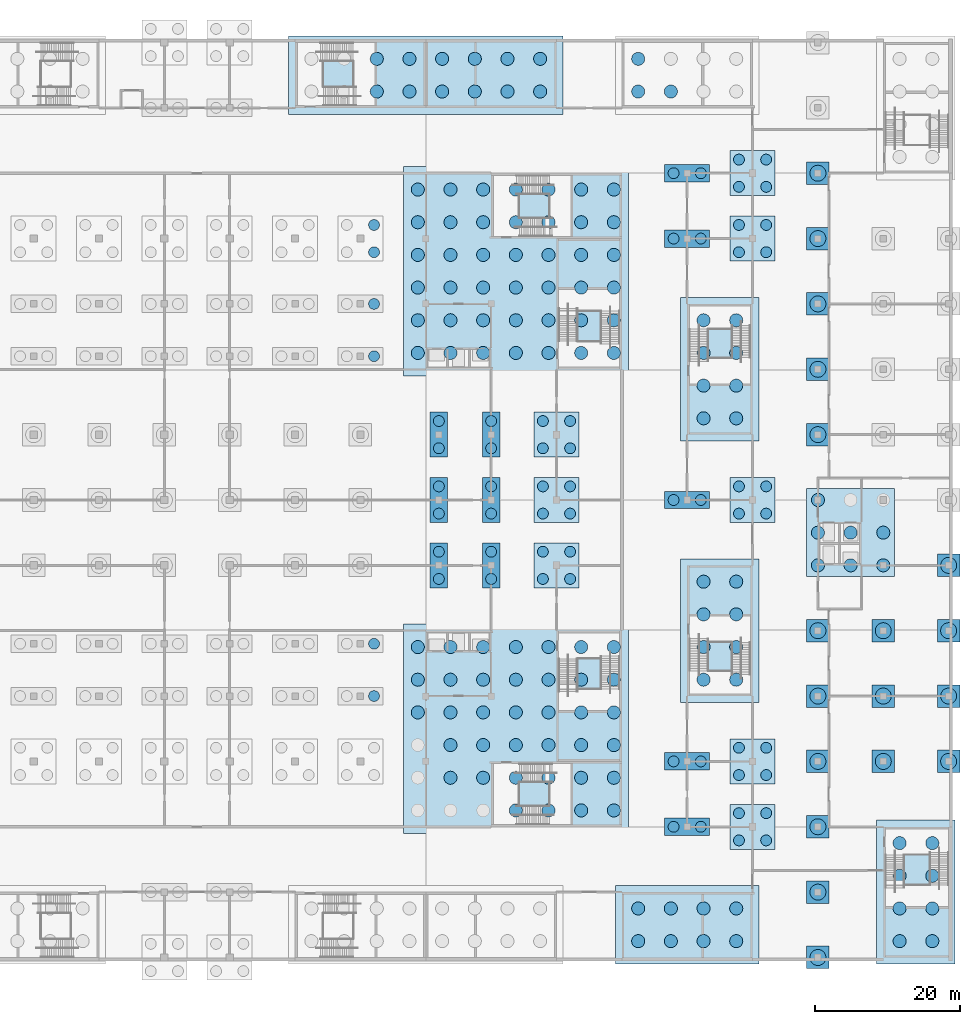
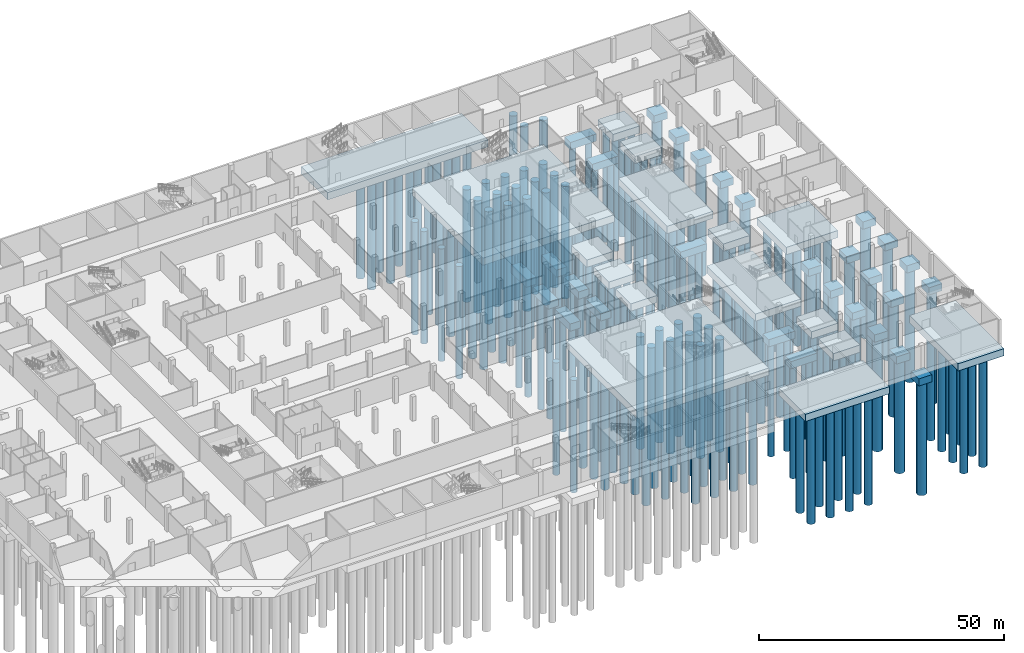
# One storey, part 3 of 42: 211 piles, 45 footings.
"""IFC4 building model written with IfcOpenShell, lengths in metres."""

import ifcopenshell
import ifcopenshell.guid

model = None  # the IFC model being written
_history = None  # IfcOwnerHistory: only IFC2X3 demands one
_inside = {}  # id of a spatial element -> (the spatial element, [elements in it])
_under = {}  # id of a project, library or spatial element -> (it, [spatial elements below it])
_declared = {}  # id of a project -> (the project, [libraries it declares])
_typed = {}  # id of a type object -> (the type object, [elements of that type])
_made_of = {}  # id of a material, layer set ... -> (it, [elements and type objects made of it])


def new_model(schema):
    """Start an empty IFC model of exactly this schema.

    Asked for "IFC4X3", IfcOpenShell would pick the latest addendum, in which some entities
    have other attributes; the version numbers below select the first issue.
    IFC2X3 requires an IfcOwnerHistory on every rooted entity: one is made here for all.
    """
    global model, _history
    if schema == "IFC4X3":
        model = ifcopenshell.file(schema_version=(4, 3, 0, 0))
    else:
        model = ifcopenshell.file(schema=schema)
    _inside.clear()
    _under.clear()
    _declared.clear()
    _typed.clear()
    _made_of.clear()
    _history = None
    if model.schema == "IFC2X3":
        org = make("IfcOrganization", Name="unknown")
        user = make(
            "IfcPersonAndOrganization",
            ThePerson=make("IfcPerson", FamilyName="unknown"),
            TheOrganization=org,
        )
        app = make(
            "IfcApplication",
            ApplicationDeveloper=org,
            Version="unknown",
            ApplicationFullName="unknown",
            ApplicationIdentifier="unknown",
        )
        _history = make(
            "IfcOwnerHistory",
            OwningUser=user,
            OwningApplication=app,
            ChangeAction="ADDED",
            CreationDate=0,
        )
    return model


def make(cls, **values):
    """One entity of the class cls with the attributes given. An attribute that is None is left unset."""
    return model.create_entity(
        cls, **{name: value for name, value in values.items() if value is not None}
    )


def rooted(cls, **values):
    """An entity with a GlobalId (a new one), such as an element, a storey or a relation."""
    return make(cls, GlobalId=ifcopenshell.guid.new(), OwnerHistory=_history, **values)


def si_unit(unit_type, name, prefix=None):
    """IfcSIUnit, for example si_unit("LENGTHUNIT", "METRE", prefix="MILLI")."""
    return make("IfcSIUnit", UnitType=unit_type, Prefix=prefix, Name=name)


def assignment(units):
    """IfcUnitAssignment: the units of a project."""
    return None if units is None else make("IfcUnitAssignment", Units=units)


def point(xyz):
    """IfcCartesianPoint."""
    return None if xyz is None else make("IfcCartesianPoint", Coordinates=xyz)


def direction(xyz):
    """IfcDirection."""
    return None if xyz is None else make("IfcDirection", DirectionRatios=xyz)


def frame(location, z_axis=None, x_axis=None):
    """IfcAxis2Placement3D, a coordinate frame: its origin and axes. An axis left out is left unset."""
    return make(
        "IfcAxis2Placement3D",
        Location=point(location),
        Axis=direction(z_axis),
        RefDirection=direction(x_axis),
    )


def frame_2d(location, x_axis=None):
    """IfcAxis2Placement2D, a coordinate frame in the plane: its origin and x axis."""
    return make(
        "IfcAxis2Placement2D", Location=point(location), RefDirection=direction(x_axis)
    )


def origin():
    """The frame at (0, 0, 0) with its axes left unset."""
    return frame((0.0, 0.0, 0.0))


def origin_2d():
    """The frame at (0, 0) in the plane with its x axis left unset."""
    return frame_2d((0.0, 0.0))


def place(relative_to, where):
    """IfcLocalPlacement: puts the frame where relative to a parent placement (None: the world)."""
    return make(
        "IfcLocalPlacement", PlacementRelTo=relative_to, RelativePlacement=where
    )


def context(
    kind, dimensions, precision=None, world=None, true_north=None, identifier=None
):
    """IfcGeometricRepresentationContext, for example the 3D "Model" context."""
    return make(
        "IfcGeometricRepresentationContext",
        ContextIdentifier=identifier,
        ContextType=kind,
        CoordinateSpaceDimension=dimensions,
        Precision=precision,
        WorldCoordinateSystem=world,
        TrueNorth=true_north,
    )


def subcontext(parent, identifier, kind, view, scale=None):
    """IfcGeometricRepresentationSubContext, for example "Body" below "Model"."""
    return make(
        "IfcGeometricRepresentationSubContext",
        ContextIdentifier=identifier,
        ContextType=kind,
        ParentContext=parent,
        TargetScale=scale,
        TargetView=view,
    )


def project(units=None, contexts=None):
    """IfcProject with its units and contexts."""
    return rooted(
        "IfcProject",
        Name="project",
        RepresentationContexts=contexts,
        UnitsInContext=assignment(units),
    )


def spatial(cls, under=None, at=None, **own):
    """A site, building, storey or space (cls), placed at a placement, below another one or the project."""
    s = rooted(cls, ObjectPlacement=at, **own)
    if under is not None:
        _under.setdefault(under.id(), (under, []))[1].append(s)
    return s


def profile(cls, at=None, kind="AREA", **sizes):
    """A parametric profile (cls). Its sizes go by their IFC names, for example OverallWidth=200.0."""
    return make(cls, ProfileType=kind, Position=at, **sizes)


def rectangle(**sizes):
    """IfcRectangleProfileDef."""
    return profile("IfcRectangleProfileDef", **sizes)


def circle(**sizes):
    """IfcCircleProfileDef."""
    return profile("IfcCircleProfileDef", **sizes)


def extrude(swept, where, along, depth):
    """IfcExtrudedAreaSolid: the profile swept, set in the frame where, extruded along a direction by depth."""
    return make(
        "IfcExtrudedAreaSolid",
        SweptArea=swept,
        Position=where,
        ExtrudedDirection=direction(along),
        Depth=depth,
    )


def shape(context_of_items, identifier, shape_type, items):
    """IfcShapeRepresentation: the items that make up one representation, for example the "Body"."""
    return make(
        "IfcShapeRepresentation",
        ContextOfItems=context_of_items,
        RepresentationIdentifier=identifier,
        RepresentationType=shape_type,
        Items=items,
    )


def material(Name=None, Category=None):
    """IfcMaterial."""
    return make("IfcMaterial", Name=Name, Category=Category)


def material_profile(
    of_material, cross_section, Name=None, Category=None, Priority=None
):
    """IfcMaterialProfile: a cross section and its material."""
    return make(
        "IfcMaterialProfile",
        Name=Name,
        Material=of_material,
        Profile=cross_section,
        Priority=Priority,
        Category=Category,
    )


def profile_set(profiles, Name=None, composite=None):
    """IfcMaterialProfileSet."""
    return make(
        "IfcMaterialProfileSet",
        Name=Name,
        MaterialProfiles=profiles,
        CompositeProfile=composite,
    )


def made_of(thing, what):
    """Note that an element or type object is made of a material, layer set ...; save() writes the relation."""
    if what is not None:
        _made_of.setdefault(what.id(), (what, []))[1].append(thing)
    return thing


def type_object(cls, material=None, **own):
    """A type object (cls), such as IfcWallType, which elements share."""
    return made_of(rooted(cls, **own), material)


def element(
    cls,
    number,
    at=None,
    inside=None,
    cuts=None,
    type_object=None,
    material=None,
    context=None,
    identifier="Body",
    shape_type=None,
    held_by="IfcProductDefinitionShape",
    body=None,
    shapes=None,
    **own,
):
    """One element of the class cls, such as IfcWall. Its Tag is "e" and its number.

    at: its placement. inside: the storey or other place that contains it. cuts: it is an
    opening in that element (IfcRelVoidsElement). A single representation is given by context,
    identifier, shape_type and body (its items); several are given by shapes. held_by: the class
    of the entity that holds the representations. save() writes the other relations.
    """
    e = rooted(cls, Tag="e%d" % number, ObjectPlacement=at, **own)
    if body is not None:
        shapes = [shape(context, identifier, shape_type, body)]
    if shapes is not None:
        e.Representation = make(held_by, Representations=shapes)
    if inside is not None:
        _inside.setdefault(inside.id(), (inside, []))[1].append(e)
    if cuts is not None:
        rooted(
            "IfcRelVoidsElement", RelatingBuildingElement=cuts, RelatedOpeningElement=e
        )
    if type_object is not None:
        _typed.setdefault(type_object.id(), (type_object, []))[1].append(e)
    return made_of(e, material)


def aggregate(whole, parts):
    """IfcRelAggregates: a whole, such as a stair, and the parts it consists of."""
    return rooted("IfcRelAggregates", RelatingObject=whole, RelatedObjects=parts)


def save(model, path):
    """Write the relations noted so far, then the file.

    IfcRelAggregates (storeys below a building ...), IfcRelContainedInSpatialStructure (elements
    in a storey), IfcRelDefinesByType, IfcRelAssociatesMaterial and IfcRelDeclares: one each for
    every whole, place, type object, material and project.
    """
    for whole, parts in _under.values():
        aggregate(whole, parts)
    for where, things in _inside.values():
        rooted(
            "IfcRelContainedInSpatialStructure",
            RelatedElements=things,
            RelatingStructure=where,
        )
    for kind, things in _typed.values():
        rooted("IfcRelDefinesByType", RelatedObjects=things, RelatingType=kind)
    for what, things in _made_of.values():
        rooted("IfcRelAssociatesMaterial", RelatedObjects=things, RelatingMaterial=what)
    for by, libraries in _declared.values():
        rooted("IfcRelDeclares", RelatingContext=by, RelatedDefinitions=libraries)
    model.write(path)


model = new_model("IFC4")

# Units and contexts
model_context = context("Model", 3, precision=1e-05, world=origin(), true_north=direction((0.0, 1.0)))
body_context = subcontext(model_context, "Body", "Model", "MODEL_VIEW")
ifc_project = project(units=[si_unit("LENGTHUNIT", "METRE"), si_unit("AREAUNIT", "SQUARE_METRE"), si_unit("VOLUMEUNIT", "CUBIC_METRE"), si_unit("PLANEANGLEUNIT", "RADIAN"), si_unit("MASSUNIT", "GRAM", prefix="KILO")], contexts=[model_context])

# Site, building, storey
site_placement = place(None, origin())
site = spatial("IfcSite", under=ifc_project, at=site_placement, CompositionType="ELEMENT")
building_placement = place(site_placement, origin())
building = spatial("IfcBuilding", under=site, at=building_placement, Name="Silverbay Arena", CompositionType="ELEMENT")
storey_placement = place(building_placement, frame((0.0, 0.0, -6.0)))
storey = spatial("IfcBuildingStorey", under=building, at=storey_placement, Name="B1", CompositionType="ELEMENT", Elevation=-6.0)

# Piles
ifc_material_1 = material(Name="Concrete Grade C45", Category="concrete")
ifc_material_profile_1 = material_profile(ifc_material_1, circle(Radius=0.75, at=origin_2d()), Name="Bored pile 1500")
ifc_profile_set_1 = profile_set([ifc_material_profile_1], Name="Concrete Grade C45")
pile_type_1 = type_object("IfcPileType", Name="Bored pile 1500", PredefinedType="BORED", material=ifc_profile_set_1)
for number, where, z_axis, x_axis, name in (
    (1, (205.125, 34.125, -3.0), (0.0, 0.0, -1.0), (1.0, 0.0, 0.0), "Bored pile 205.125/34.125"),
    (2, (205.125, 37.875, -3.0), (0.0, 0.0, -1.0), (1.0, 0.0, 0.0), "Bored pile 205.125/37.875"),
    (3, (208.875, 34.125, -3.0), (0.0, 0.0, -1.0), (1.0, 0.0, 0.0), "Bored pile 208.875/34.125"),
    (4, (208.875, 37.875, -3.0), (0.0, 0.0, -1.0), (1.0, 0.0, 0.0), "Bored pile 208.875/37.875"),
    (5, (196.125, 36.0, -3.0), (0.0, 0.0, -1.0), (1.0, 0.0, 0.0), "Bored pile 196.125/36"),
    (6, (199.875, 36.0, -3.0), (0.0, 0.0, -1.0), (1.0, 0.0, 0.0), "Bored pile 199.875/36"),
    (7, (205.125, 43.125, -3.0), (0.0, 0.0, -1.0), (1.0, 0.0, 0.0), "Bored pile 205.125/43.125"),
    (8, (205.125, 46.875, -3.0), (0.0, 0.0, -1.0), (1.0, 0.0, 0.0), "Bored pile 205.125/46.875"),
    (9, (208.875, 43.125, -3.0), (0.0, 0.0, -1.0), (1.0, 0.0, 0.0), "Bored pile 208.875/43.125"),
    (10, (208.875, 46.875, -3.0), (0.0, 0.0, -1.0), (1.0, 0.0, 0.0), "Bored pile 208.875/46.875"),
    (11, (196.125, 45.0, -3.0), (0.0, 0.0, -1.0), (1.0, 0.0, 0.0), "Bored pile 196.125/45"),
    (12, (199.875, 45.0, -3.0), (0.0, 0.0, -1.0), (1.0, 0.0, 0.0), "Bored pile 199.875/45"),
    (13, (154.875, 54.0, -3.0), (0.0, 0.0, -1.0), (1.0, 0.0, 0.0), "Bored pile 154.875/54"),
    (14, (154.875, 61.199951171875, -3.0), (0.0, 0.0, -1.0), (1.0, 0.0, 0.0), "Bored pile 154.875/61.2"),
    (15, (163.800048828125, 70.125, -3.0), (0.0, 0.0, -1.0), (1.0, 0.0, 0.0), "Bored pile 163.8/70.125"),
    (16, (163.800048828125, 73.875, -3.0), (0.0, 0.0, -1.0), (1.0, 0.0, 0.0), "Bored pile 163.8/73.875"),
    (17, (171.0, 70.125, -3.0), (0.0, 0.0, -1.0), (1.0, 0.0, 0.0), "Bored pile 171/70.125"),
    (18, (171.0, 73.875, -3.0), (0.0, 0.0, -1.0), (1.0, 0.0, 0.0), "Bored pile 171/73.875"),
    (19, (178.125, 70.125, -3.0), (0.0, 0.0, -1.0), (1.0, 0.0, 0.0), "Bored pile 178.125/70.125"),
    (20, (178.125, 73.875, -3.0), (0.0, 0.0, -1.0), (1.0, 0.0, 0.0), "Bored pile 178.125/73.875"),
    (21, (181.875, 70.125, -3.0), (0.0, 0.0, -1.0), (1.0, 0.0, 0.0), "Bored pile 181.875/70.125"),
    (22, (181.875, 73.875, -3.0), (0.0, 0.0, -1.0), (1.0, 0.0, 0.0), "Bored pile 181.875/73.875"),
    (23, (163.800048828125, 79.125, -3.0), (0.0, 0.0, -1.0), (1.0, 0.0, 0.0), "Bored pile 163.8/79.125"),
    (24, (163.800048828125, 82.875, -3.0), (0.0, 0.0, -1.0), (1.0, 0.0, 0.0), "Bored pile 163.8/82.875"),
    (25, (171.0, 79.125, -3.0), (0.0, 0.0, -1.0), (1.0, 0.0, 0.0), "Bored pile 171/79.125"),
    (26, (171.0, 82.875, -3.0), (0.0, 0.0, -1.0), (1.0, 0.0, 0.0), "Bored pile 171/82.875"),
    (27, (178.125, 79.125, -3.0), (0.0, 0.0, -1.0), (1.0, 0.0, 0.0), "Bored pile 178.125/79.125"),
    (28, (178.125, 82.875, -3.0), (0.0, 0.0, -1.0), (1.0, 0.0, 0.0), "Bored pile 178.125/82.875"),
    (29, (181.875, 79.125, -3.0), (0.0, 0.0, -1.0), (1.0, 0.0, 0.0), "Bored pile 181.875/79.125"),
    (30, (181.875, 82.875, -3.0), (0.0, 0.0, -1.0), (1.0, 0.0, 0.0), "Bored pile 181.875/82.875"),
    (31, (205.125, 79.125, -3.0), (0.0, 0.0, -1.0), (1.0, 0.0, 0.0), "Bored pile 205.125/79.125"),
    (32, (205.125, 82.875, -3.0), (0.0, 0.0, -1.0), (1.0, 0.0, 0.0), "Bored pile 205.125/82.875"),
    (33, (208.875, 79.125, -3.0), (0.0, 0.0, -1.0), (1.0, 0.0, 0.0), "Bored pile 208.875/79.125"),
    (34, (208.875, 82.875, -3.0), (0.0, 0.0, -1.0), (1.0, 0.0, 0.0), "Bored pile 208.875/82.875"),
    (35, (196.125, 81.0, -3.0), (0.0, 0.0, -1.0), (1.0, 0.0, 0.0), "Bored pile 196.125/81"),
    (36, (199.875, 81.0, -3.0), (0.0, 0.0, -1.0), (1.0, 0.0, 0.0), "Bored pile 199.875/81"),
    (37, (163.800048828125, 88.125, -3.0), (0.0, 0.0, -1.0), (1.0, 0.0, 0.0), "Bored pile 163.8/88.125"),
    (38, (163.800048828125, 91.875, -3.0), (0.0, 0.0, -1.0), (1.0, 0.0, 0.0), "Bored pile 163.8/91.875"),
    (39, (171.0, 88.125, -3.0), (0.0, 0.0, -1.0), (1.0, 0.0, 0.0), "Bored pile 171/88.125"),
    (40, (171.0, 91.875, -3.0), (0.0, 0.0, -1.0), (1.0, 0.0, 0.0), "Bored pile 171/91.875"),
    (41, (178.125, 88.125, -3.0), (0.0, 0.0, -1.0), (1.0, 0.0, 0.0), "Bored pile 178.125/88.125"),
    (42, (178.125, 91.875, -3.0), (0.0, 0.0, -1.0), (1.0, 0.0, 0.0), "Bored pile 178.125/91.875"),
    (43, (181.875, 88.125, -3.0), (0.0, 0.0, -1.0), (1.0, 0.0, 0.0), "Bored pile 181.875/88.125"),
    (44, (181.875, 91.875, -3.0), (0.0, 0.0, -1.0), (1.0, 0.0, 0.0), "Bored pile 181.875/91.875"),
    (45, (154.875, 100.800048828125, -3.0), (0.0, 0.0, -1.0), (1.0, 0.0, 0.0), "Bored pile 154.875/100.8"),
    (46, (154.875, 108.0, -3.0), (0.0, 0.0, -1.0), (1.0, 0.0, 0.0), "Bored pile 154.875/108"),
    (47, (154.875, 115.125, -3.0), (0.0, 0.0, -1.0), (1.0, 0.0, 0.0), "Bored pile 154.875/115.125"),
    (48, (154.875, 118.875, -3.0), (0.0, 0.0, -1.0), (1.0, 0.0, 0.0), "Bored pile 154.875/118.875"),
    (49, (205.125, 115.125, -3.0), (0.0, 0.0, -1.0), (1.0, 0.0, 0.0), "Bored pile 205.125/115.125"),
    (50, (205.125, 118.875, -3.0), (0.0, 0.0, -1.0), (1.0, 0.0, 0.0), "Bored pile 205.125/118.875"),
    (51, (208.875, 115.125, -3.0), (0.0, 0.0, -1.0), (1.0, 0.0, 0.0), "Bored pile 208.875/115.125"),
    (52, (208.875, 118.875, -3.0), (0.0, 0.0, -1.0), (1.0, 0.0, 0.0), "Bored pile 208.875/118.875"),
    (53, (196.125, 117.0, -3.0), (0.0, 0.0, -1.0), (1.0, 0.0, 0.0), "Bored pile 196.125/117"),
    (54, (199.875, 117.0, -3.0), (0.0, 0.0, -1.0), (1.0, 0.0, 0.0), "Bored pile 199.875/117"),
    (55, (205.125, 124.125, -3.0), (0.0, 0.0, -1.0), (1.0, 0.0, 0.0), "Bored pile 205.125/124.125"),
    (56, (205.125, 127.875, -3.0), (0.0, 0.0, -1.0), (1.0, 0.0, 0.0), "Bored pile 205.125/127.875"),
    (57, (208.875, 124.125, -3.0), (0.0, 0.0, -1.0), (1.0, 0.0, 0.0), "Bored pile 208.875/124.125"),
    (58, (208.875, 127.875, -3.0), (0.0, 0.0, -1.0), (1.0, 0.0, 0.0), "Bored pile 208.875/127.875"),
    (59, (196.125, 126.0, -3.0), (0.0, 0.0, -1.0), (1.0, 0.0, 0.0), "Bored pile 196.125/126"),
    (60, (199.875, 126.0, -3.0), (0.0, 0.0, -1.0), (1.0, 0.0, 0.0), "Bored pile 199.875/126"),
):
    element("IfcPile", number, at=place(storey_placement, frame(where, z_axis=z_axis, x_axis=x_axis)), inside=storey, type_object=pile_type_1, Name=name, PredefinedType="BORED", context=body_context, shape_type="SweptSolid", body=[
        extrude(circle(Radius=0.75, at=origin_2d()), origin(), (0.0, 0.0, 1.0), 28.0),
    ])
ifc_material_2 = material(Name="Concrete Grade C45", Category="concrete")
ifc_material_profile_2 = material_profile(ifc_material_2, circle(Radius=0.89990234375, at=origin_2d()), Name="Bored pile 1800")
ifc_profile_set_2 = profile_set([ifc_material_profile_2], Name="Concrete Grade C45")
pile_type_2 = type_object("IfcPileType", Name="Bored pile 1800", PredefinedType="BORED", material=ifc_profile_set_2)
for number, where, z_axis, x_axis, name in (
    (61, (191.25, 20.25, -3.0), (0.0, 0.0, -1.0), (1.0, 0.0, 0.0), "Bored pile 191.25/20.25"),
    (62, (191.25, 24.75, -3.0), (0.0, 0.0, -1.0), (1.0, 0.0, 0.0), "Bored pile 191.25/24.75"),
    (63, (195.75, 20.25, -3.0), (0.0, 0.0, -1.0), (1.0, 0.0, 0.0), "Bored pile 195.75/20.25"),
    (64, (195.75, 24.75, -3.0), (0.0, 0.0, -1.0), (1.0, 0.0, 0.0), "Bored pile 195.75/24.75"),
    (65, (200.25, 20.25, -3.0), (0.0, 0.0, -1.0), (1.0, 0.0, 0.0), "Bored pile 200.25/20.25"),
    (66, (200.25, 24.75, -3.0), (0.0, 0.0, -1.0), (1.0, 0.0, 0.0), "Bored pile 200.25/24.75"),
    (67, (204.75, 20.25, -3.0), (0.0, 0.0, -1.0), (1.0, 0.0, 0.0), "Bored pile 204.75/20.25"),
    (68, (204.75, 24.75, -3.0), (0.0, 0.0, -1.0), (1.0, 0.0, 0.0), "Bored pile 204.75/24.75"),
    (69, (227.25, 20.25, -3.0), (0.0, 0.0, -1.0), (1.0, 0.0, 0.0), "Bored pile 227.25/20.25"),
    (70, (227.25, 24.75, -3.0), (0.0, 0.0, -1.0), (1.0, 0.0, 0.0), "Bored pile 227.25/24.75"),
    (71, (227.25, 29.25, -3.0), (0.0, 0.0, -1.0), (1.0, 0.0, 0.0), "Bored pile 227.25/29.25"),
    (72, (227.25, 33.75, -3.0), (0.0, 0.0, -1.0), (1.0, 0.0, 0.0), "Bored pile 227.25/33.75"),
    (73, (231.75, 20.25, -3.0), (0.0, 0.0, -1.0), (1.0, 0.0, 0.0), "Bored pile 231.75/20.25"),
    (74, (231.75, 24.75, -3.0), (0.0, 0.0, -1.0), (1.0, 0.0, 0.0), "Bored pile 231.75/24.75"),
    (75, (231.75, 29.25, -3.0), (0.0, 0.0, -1.0), (1.0, 0.0, 0.0), "Bored pile 231.75/29.25"),
    (76, (231.75, 33.75, -3.0), (0.0, 0.0, -1.0), (1.0, 0.0, 0.0), "Bored pile 231.75/33.75"),
    (77, (160.89990234375, 51.75, -3.0), (0.0, 0.0, -1.0), (1.0, 0.0, 0.0), "Bored pile 160.9/51.75"),
    (78, (160.89990234375, 56.25, -3.0), (0.0, 0.0, -1.0), (1.0, 0.0, 0.0), "Bored pile 160.9/56.25"),
    (79, (160.89990234375, 60.75, -3.0), (0.0, 0.0, -1.0), (1.0, 0.0, 0.0), "Bored pile 160.9/60.75"),
    (80, (165.39990234375, 42.75, -3.0), (0.0, 0.0, -1.0), (1.0, 0.0, 0.0), "Bored pile 165.4/42.75"),
    (81, (165.39990234375, 47.25, -3.0), (0.0, 0.0, -1.0), (1.0, 0.0, 0.0), "Bored pile 165.4/47.25"),
    (82, (165.39990234375, 51.75, -3.0), (0.0, 0.0, -1.0), (1.0, 0.0, 0.0), "Bored pile 165.4/51.75"),
    (83, (165.39990234375, 56.25, -3.0), (0.0, 0.0, -1.0), (1.0, 0.0, 0.0), "Bored pile 165.4/56.25"),
    (84, (165.39990234375, 60.75, -3.0), (0.0, 0.0, -1.0), (1.0, 0.0, 0.0), "Bored pile 165.4/60.75"),
    (85, (169.89990234375, 42.75, -3.0), (0.0, 0.0, -1.0), (1.0, 0.0, 0.0), "Bored pile 169.9/42.75"),
    (86, (169.89990234375, 47.25, -3.0), (0.0, 0.0, -1.0), (1.0, 0.0, 0.0), "Bored pile 169.9/47.25"),
    (87, (169.89990234375, 51.75, -3.0), (0.0, 0.0, -1.0), (1.0, 0.0, 0.0), "Bored pile 169.9/51.75"),
    (88, (169.89990234375, 56.25, -3.0), (0.0, 0.0, -1.0), (1.0, 0.0, 0.0), "Bored pile 169.9/56.25"),
    (89, (169.89990234375, 60.75, -3.0), (0.0, 0.0, -1.0), (1.0, 0.0, 0.0), "Bored pile 169.9/60.75"),
    (90, (174.39990234375, 38.25, -3.0), (0.0, 0.0, -1.0), (1.0, 0.0, 0.0), "Bored pile 174.4/38.25"),
    (91, (174.39990234375, 42.75, -3.0), (0.0, 0.0, -1.0), (1.0, 0.0, 0.0), "Bored pile 174.4/42.75"),
    (92, (174.39990234375, 47.25, -3.0), (0.0, 0.0, -1.0), (1.0, 0.0, 0.0), "Bored pile 174.4/47.25"),
    (93, (174.39990234375, 51.75, -3.0), (0.0, 0.0, -1.0), (1.0, 0.0, 0.0), "Bored pile 174.4/51.75"),
    (94, (174.39990234375, 56.25, -3.0), (0.0, 0.0, -1.0), (1.0, 0.0, 0.0), "Bored pile 174.4/56.25"),
    (95, (174.39990234375, 60.75, -3.0), (0.0, 0.0, -1.0), (1.0, 0.0, 0.0), "Bored pile 174.4/60.75"),
    (96, (178.89990234375, 38.25, -3.0), (0.0, 0.0, -1.0), (1.0, 0.0, 0.0), "Bored pile 178.9/38.25"),
    (97, (178.89990234375, 42.75, -3.0), (0.0, 0.0, -1.0), (1.0, 0.0, 0.0), "Bored pile 178.9/42.75"),
    (98, (178.89990234375, 47.25, -3.0), (0.0, 0.0, -1.0), (1.0, 0.0, 0.0), "Bored pile 178.9/47.25"),
    (99, (178.89990234375, 51.75, -3.0), (0.0, 0.0, -1.0), (1.0, 0.0, 0.0), "Bored pile 178.9/51.75"),
    (100, (178.89990234375, 56.25, -3.0), (0.0, 0.0, -1.0), (1.0, 0.0, 0.0), "Bored pile 178.9/56.25"),
    (101, (178.89990234375, 60.75, -3.0), (0.0, 0.0, -1.0), (1.0, 0.0, 0.0), "Bored pile 178.9/60.75"),
    (102, (183.39990234375, 38.25, -3.0), (0.0, 0.0, -1.0), (1.0, 0.0, 0.0), "Bored pile 183.4/38.25"),
    (103, (183.39990234375, 42.75, -3.0), (0.0, 0.0, -1.0), (1.0, 0.0, 0.0), "Bored pile 183.4/42.75"),
    (104, (183.39990234375, 47.25, -3.0), (0.0, 0.0, -1.0), (1.0, 0.0, 0.0), "Bored pile 183.4/47.25"),
    (105, (183.39990234375, 51.75, -3.0), (0.0, 0.0, -1.0), (1.0, 0.0, 0.0), "Bored pile 183.4/51.75"),
    (106, (183.39990234375, 56.25, -3.0), (0.0, 0.0, -1.0), (1.0, 0.0, 0.0), "Bored pile 183.4/56.25"),
    (107, (183.39990234375, 60.75, -3.0), (0.0, 0.0, -1.0), (1.0, 0.0, 0.0), "Bored pile 183.4/60.75"),
    (108, (187.89990234375, 38.25, -3.0), (0.0, 0.0, -1.0), (1.0, 0.0, 0.0), "Bored pile 187.9/38.25"),
    (109, (187.89990234375, 42.75, -3.0), (0.0, 0.0, -1.0), (1.0, 0.0, 0.0), "Bored pile 187.9/42.75"),
    (110, (187.89990234375, 47.25, -3.0), (0.0, 0.0, -1.0), (1.0, 0.0, 0.0), "Bored pile 187.9/47.25"),
    (111, (187.89990234375, 51.75, -3.0), (0.0, 0.0, -1.0), (1.0, 0.0, 0.0), "Bored pile 187.9/51.75"),
    (112, (187.89990234375, 56.25, -3.0), (0.0, 0.0, -1.0), (1.0, 0.0, 0.0), "Bored pile 187.9/56.25"),
    (113, (187.89990234375, 60.75, -3.0), (0.0, 0.0, -1.0), (1.0, 0.0, 0.0), "Bored pile 187.9/60.75"),
    (114, (200.25, 56.25, -3.0), (0.0, 0.0, -1.0), (1.0, 0.0, 0.0), "Bored pile 200.25/56.25"),
    (115, (200.25, 60.75, -3.0), (0.0, 0.0, -1.0), (1.0, 0.0, 0.0), "Bored pile 200.25/60.75"),
    (116, (200.25, 65.25, -3.0), (0.0, 0.0, -1.0), (1.0, 0.0, 0.0), "Bored pile 200.25/65.25"),
    (117, (200.25, 69.75, -3.0), (0.0, 0.0, -1.0), (1.0, 0.0, 0.0), "Bored pile 200.25/69.75"),
    (118, (204.75, 56.25, -3.0), (0.0, 0.0, -1.0), (1.0, 0.0, 0.0), "Bored pile 204.75/56.25"),
    (119, (204.75, 60.75, -3.0), (0.0, 0.0, -1.0), (1.0, 0.0, 0.0), "Bored pile 204.75/60.75"),
    (120, (204.75, 65.25, -3.0), (0.0, 0.0, -1.0), (1.0, 0.0, 0.0), "Bored pile 204.75/65.25"),
    (121, (204.75, 69.75, -3.0), (0.0, 0.0, -1.0), (1.0, 0.0, 0.0), "Bored pile 204.75/69.75"),
    (122, (216.0, 72.0, -3.0), (0.0, 0.0, -1.0), (1.0, 0.0, 0.0), "Bored pile 216/72"),
    (123, (216.0, 76.5, -3.0), (0.0, 0.0, -1.0), (1.0, 0.0, 0.0), "Bored pile 216/76.5"),
    (124, (216.0, 81.0, -3.0), (0.0, 0.0, -1.0), (1.0, 0.0, 0.0), "Bored pile 216/81"),
    (125, (220.5, 72.0, -3.0), (0.0, 0.0, -1.0), (1.0, 0.0, 0.0), "Bored pile 220.5/72"),
    (126, (220.5, 76.5, -3.0), (0.0, 0.0, -1.0), (1.0, 0.0, 0.0), "Bored pile 220.5/76.5"),
    (127, (225.0, 72.0, -3.0), (0.0, 0.0, -1.0), (1.0, 0.0, 0.0), "Bored pile 225/72"),
    (128, (225.0, 76.5, -3.0), (0.0, 0.0, -1.0), (1.0, 0.0, 0.0), "Bored pile 225/76.5"),
    (129, (200.25, 92.25, -3.0), (0.0, 0.0, -1.0), (1.0, 0.0, 0.0), "Bored pile 200.25/92.25"),
    (130, (200.25, 96.75, -3.0), (0.0, 0.0, -1.0), (1.0, 0.0, 0.0), "Bored pile 200.25/96.75"),
    (131, (200.25, 101.25, -3.0), (0.0, 0.0, -1.0), (1.0, 0.0, 0.0), "Bored pile 200.25/101.25"),
    (132, (200.25, 105.75, -3.0), (0.0, 0.0, -1.0), (1.0, 0.0, 0.0), "Bored pile 200.25/105.75"),
    (133, (204.75, 92.25, -3.0), (0.0, 0.0, -1.0), (1.0, 0.0, 0.0), "Bored pile 204.75/92.25"),
    (134, (204.75, 96.75, -3.0), (0.0, 0.0, -1.0), (1.0, 0.0, 0.0), "Bored pile 204.75/96.75"),
    (135, (204.75, 101.25, -3.0), (0.0, 0.0, -1.0), (1.0, 0.0, 0.0), "Bored pile 204.75/101.25"),
    (136, (204.75, 105.75, -3.0), (0.0, 0.0, -1.0), (1.0, 0.0, 0.0), "Bored pile 204.75/105.75"),
    (137, (160.89990234375, 101.25, -3.0), (0.0, 0.0, -1.0), (1.0, 0.0, 0.0), "Bored pile 160.9/101.25"),
    (138, (160.89990234375, 105.75, -3.0), (0.0, 0.0, -1.0), (1.0, 0.0, 0.0), "Bored pile 160.9/105.75"),
    (139, (160.89990234375, 110.25, -3.0), (0.0, 0.0, -1.0), (1.0, 0.0, 0.0), "Bored pile 160.9/110.25"),
    (140, (160.89990234375, 114.75, -3.0), (0.0, 0.0, -1.0), (1.0, 0.0, 0.0), "Bored pile 160.9/114.75"),
    (141, (160.89990234375, 119.25, -3.0), (0.0, 0.0, -1.0), (1.0, 0.0, 0.0), "Bored pile 160.9/119.25"),
    (142, (160.89990234375, 123.75, -3.0), (0.0, 0.0, -1.0), (1.0, 0.0, 0.0), "Bored pile 160.9/123.75"),
    (143, (165.39990234375, 101.25, -3.0), (0.0, 0.0, -1.0), (1.0, 0.0, 0.0), "Bored pile 165.4/101.25"),
    (144, (165.39990234375, 105.75, -3.0), (0.0, 0.0, -1.0), (1.0, 0.0, 0.0), "Bored pile 165.4/105.75"),
    (145, (165.39990234375, 110.25, -3.0), (0.0, 0.0, -1.0), (1.0, 0.0, 0.0), "Bored pile 165.4/110.25"),
    (146, (165.39990234375, 114.75, -3.0), (0.0, 0.0, -1.0), (1.0, 0.0, 0.0), "Bored pile 165.4/114.75"),
    (147, (165.39990234375, 119.25, -3.0), (0.0, 0.0, -1.0), (1.0, 0.0, 0.0), "Bored pile 165.4/119.25"),
    (148, (165.39990234375, 123.75, -3.0), (0.0, 0.0, -1.0), (1.0, 0.0, 0.0), "Bored pile 165.4/123.75"),
    (149, (169.89990234375, 101.25, -3.0), (0.0, 0.0, -1.0), (1.0, 0.0, 0.0), "Bored pile 169.9/101.25"),
    (150, (169.89990234375, 105.75, -3.0), (0.0, 0.0, -1.0), (1.0, 0.0, 0.0), "Bored pile 169.9/105.75"),
    (151, (169.89990234375, 110.25, -3.0), (0.0, 0.0, -1.0), (1.0, 0.0, 0.0), "Bored pile 169.9/110.25"),
    (152, (169.89990234375, 114.75, -3.0), (0.0, 0.0, -1.0), (1.0, 0.0, 0.0), "Bored pile 169.9/114.75"),
    (153, (169.89990234375, 119.25, -3.0), (0.0, 0.0, -1.0), (1.0, 0.0, 0.0), "Bored pile 169.9/119.25"),
    (154, (169.89990234375, 123.75, -3.0), (0.0, 0.0, -1.0), (1.0, 0.0, 0.0), "Bored pile 169.9/123.75"),
    (155, (174.39990234375, 101.25, -3.0), (0.0, 0.0, -1.0), (1.0, 0.0, 0.0), "Bored pile 174.4/101.25"),
    (156, (174.39990234375, 105.75, -3.0), (0.0, 0.0, -1.0), (1.0, 0.0, 0.0), "Bored pile 174.4/105.75"),
    (157, (174.39990234375, 110.25, -3.0), (0.0, 0.0, -1.0), (1.0, 0.0, 0.0), "Bored pile 174.4/110.25"),
    (158, (174.39990234375, 114.75, -3.0), (0.0, 0.0, -1.0), (1.0, 0.0, 0.0), "Bored pile 174.4/114.75"),
    (159, (174.39990234375, 119.25, -3.0), (0.0, 0.0, -1.0), (1.0, 0.0, 0.0), "Bored pile 174.4/119.25"),
    (160, (174.39990234375, 123.75, -3.0), (0.0, 0.0, -1.0), (1.0, 0.0, 0.0), "Bored pile 174.4/123.75"),
    (161, (178.89990234375, 101.25, -3.0), (0.0, 0.0, -1.0), (1.0, 0.0, 0.0), "Bored pile 178.9/101.25"),
    (162, (178.89990234375, 105.75, -3.0), (0.0, 0.0, -1.0), (1.0, 0.0, 0.0), "Bored pile 178.9/105.75"),
    (163, (178.89990234375, 110.25, -3.0), (0.0, 0.0, -1.0), (1.0, 0.0, 0.0), "Bored pile 178.9/110.25"),
    (164, (178.89990234375, 114.75, -3.0), (0.0, 0.0, -1.0), (1.0, 0.0, 0.0), "Bored pile 178.9/114.75"),
    (165, (178.89990234375, 119.25, -3.0), (0.0, 0.0, -1.0), (1.0, 0.0, 0.0), "Bored pile 178.9/119.25"),
    (166, (178.89990234375, 123.75, -3.0), (0.0, 0.0, -1.0), (1.0, 0.0, 0.0), "Bored pile 178.9/123.75"),
    (167, (183.39990234375, 101.25, -3.0), (0.0, 0.0, -1.0), (1.0, 0.0, 0.0), "Bored pile 183.4/101.25"),
    (168, (183.39990234375, 105.75, -3.0), (0.0, 0.0, -1.0), (1.0, 0.0, 0.0), "Bored pile 183.4/105.75"),
    (169, (183.39990234375, 110.25, -3.0), (0.0, 0.0, -1.0), (1.0, 0.0, 0.0), "Bored pile 183.4/110.25"),
    (170, (183.39990234375, 114.75, -3.0), (0.0, 0.0, -1.0), (1.0, 0.0, 0.0), "Bored pile 183.4/114.75"),
    (171, (183.39990234375, 119.25, -3.0), (0.0, 0.0, -1.0), (1.0, 0.0, 0.0), "Bored pile 183.4/119.25"),
    (172, (183.39990234375, 123.75, -3.0), (0.0, 0.0, -1.0), (1.0, 0.0, 0.0), "Bored pile 183.4/123.75"),
    (173, (187.89990234375, 101.25, -3.0), (0.0, 0.0, -1.0), (1.0, 0.0, 0.0), "Bored pile 187.9/101.25"),
    (174, (187.89990234375, 105.75, -3.0), (0.0, 0.0, -1.0), (1.0, 0.0, 0.0), "Bored pile 187.9/105.75"),
    (175, (187.89990234375, 110.25, -3.0), (0.0, 0.0, -1.0), (1.0, 0.0, 0.0), "Bored pile 187.9/110.25"),
    (176, (187.89990234375, 114.75, -3.0), (0.0, 0.0, -1.0), (1.0, 0.0, 0.0), "Bored pile 187.9/114.75"),
    (177, (187.89990234375, 119.25, -3.0), (0.0, 0.0, -1.0), (1.0, 0.0, 0.0), "Bored pile 187.9/119.25"),
    (178, (187.89990234375, 123.75, -3.0), (0.0, 0.0, -1.0), (1.0, 0.0, 0.0), "Bored pile 187.9/123.75"),
    (179, (155.25, 137.25, -3.0), (0.0, 0.0, -1.0), (1.0, 0.0, 0.0), "Bored pile 155.25/137.25"),
    (180, (155.25, 141.75, -3.0), (0.0, 0.0, -1.0), (1.0, 0.0, 0.0), "Bored pile 155.25/141.75"),
    (181, (159.75, 137.25, -3.0), (0.0, 0.0, -1.0), (1.0, 0.0, 0.0), "Bored pile 159.75/137.25"),
    (182, (159.75, 141.75, -3.0), (0.0, 0.0, -1.0), (1.0, 0.0, 0.0), "Bored pile 159.75/141.75"),
    (183, (164.25, 137.25, -3.0), (0.0, 0.0, -1.0), (1.0, 0.0, 0.0), "Bored pile 164.25/137.25"),
    (184, (164.25, 141.75, -3.0), (0.0, 0.0, -1.0), (1.0, 0.0, 0.0), "Bored pile 164.25/141.75"),
    (185, (168.75, 137.25, -3.0), (0.0, 0.0, -1.0), (1.0, 0.0, 0.0), "Bored pile 168.75/137.25"),
    (186, (168.75, 141.75, -3.0), (0.0, 0.0, -1.0), (1.0, 0.0, 0.0), "Bored pile 168.75/141.75"),
    (187, (173.25, 137.25, -3.0), (0.0, 0.0, -1.0), (1.0, 0.0, 0.0), "Bored pile 173.25/137.25"),
    (188, (173.25, 141.75, -3.0), (0.0, 0.0, -1.0), (1.0, 0.0, 0.0), "Bored pile 173.25/141.75"),
    (189, (177.75, 137.25, -3.0), (0.0, 0.0, -1.0), (1.0, 0.0, 0.0), "Bored pile 177.75/137.25"),
    (190, (177.75, 141.75, -3.0), (0.0, 0.0, -1.0), (1.0, 0.0, 0.0), "Bored pile 177.75/141.75"),
    (191, (191.25, 137.25, -3.0), (0.0, 0.0, -1.0), (1.0, 0.0, 0.0), "Bored pile 191.25/137.25"),
    (192, (191.25, 141.75, -3.0), (0.0, 0.0, -1.0), (1.0, 0.0, 0.0), "Bored pile 191.25/141.75"),
    (193, (195.75, 137.25, -3.0), (0.0, 0.0, -1.0), (1.0, 0.0, 0.0), "Bored pile 195.75/137.25"),
):
    element("IfcPile", number, at=place(storey_placement, frame(where, z_axis=z_axis, x_axis=x_axis)), inside=storey, type_object=pile_type_2, Name=name, PredefinedType="BORED", context=body_context, shape_type="SweptSolid", body=[
        extrude(circle(Radius=0.89990234375, at=origin_2d()), origin(), (0.0, 0.0, 1.0), 28.0),
    ])
ifc_material_3 = material(Name="Concrete Grade C45", Category="concrete")
ifc_material_profile_3 = material_profile(ifc_material_3, circle(Radius=1.10009765625, at=origin_2d()), Name="Bored pile 2200")
ifc_profile_set_3 = profile_set([ifc_material_profile_3], Name="Concrete Grade C45")
pile_type_3 = type_object("IfcPileType", Name="Bored pile 2200", PredefinedType="BORED", material=ifc_profile_set_3)
for number, where, z_axis, x_axis, name in (
    (194, (216.0, 18.0, -3.0), (0.0, 0.0, -1.0), (1.0, 0.0, 0.0), "Bored pile 216/18"),
    (195, (216.0, 27.0, -3.0), (0.0, 0.0, -1.0), (1.0, 0.0, 0.0), "Bored pile 216/27"),
    (196, (216.0, 36.0, -3.0), (0.0, 0.0, -1.0), (1.0, 0.0, 0.0), "Bored pile 216/36"),
    (197, (216.0, 45.0, -3.0), (0.0, 0.0, -1.0), (1.0, 0.0, 0.0), "Bored pile 216/45"),
    (198, (225.0, 45.0, -3.0), (0.0, 0.0, -1.0), (1.0, 0.0, 0.0), "Bored pile 225/45"),
    (199, (234.0, 45.0, -3.0), (0.0, 0.0, -1.0), (1.0, 0.0, 0.0), "Bored pile 234/45"),
    (200, (216.0, 54.0, -3.0), (0.0, 0.0, -1.0), (1.0, 0.0, 0.0), "Bored pile 216/54"),
    (201, (225.0, 54.0, -3.0), (0.0, 0.0, -1.0), (1.0, 0.0, 0.0), "Bored pile 225/54"),
    (202, (234.0, 54.0, -3.0), (0.0, 0.0, -1.0), (1.0, 0.0, 0.0), "Bored pile 234/54"),
    (203, (216.0, 63.0, -3.0), (0.0, 0.0, -1.0), (1.0, 0.0, 0.0), "Bored pile 216/63"),
    (204, (225.0, 63.0, -3.0), (0.0, 0.0, -1.0), (1.0, 0.0, 0.0), "Bored pile 225/63"),
    (205, (234.0, 63.0, -3.0), (0.0, 0.0, -1.0), (1.0, 0.0, 0.0), "Bored pile 234/63"),
    (206, (234.0, 72.0, -3.0), (0.0, 0.0, -1.0), (1.0, 0.0, 0.0), "Bored pile 234/72"),
    (207, (216.0, 90.0, -3.0), (0.0, 0.0, -1.0), (1.0, 0.0, 0.0), "Bored pile 216/90"),
    (208, (216.0, 99.0, -3.0), (0.0, 0.0, -1.0), (1.0, 0.0, 0.0), "Bored pile 216/99"),
    (209, (216.0, 108.0, -3.0), (0.0, 0.0, -1.0), (1.0, 0.0, 0.0), "Bored pile 216/108"),
    (210, (216.0, 117.0, -3.0), (0.0, 0.0, -1.0), (1.0, 0.0, 0.0), "Bored pile 216/117"),
    (211, (216.0, 126.0, -3.0), (0.0, 0.0, -1.0), (1.0, 0.0, 0.0), "Bored pile 216/126"),
):
    element("IfcPile", number, at=place(storey_placement, frame(where, z_axis=z_axis, x_axis=x_axis)), inside=storey, type_object=pile_type_3, Name=name, PredefinedType="BORED", context=body_context, shape_type="SweptSolid", body=[
        extrude(circle(Radius=1.10009765625, at=origin_2d()), origin(), (0.0, 0.0, 1.0), 28.0),
    ])

# Footings
ifc_material_4 = material(Name="Concrete Grade C45", Category="concrete")
footing_type_1 = type_object("IfcFootingType", Name="Pile cap 1 piles 3100x3100x1800", PredefinedType="PILE_CAP", material=ifc_material_4)
for number, where, z_axis, x_axis, name in (
    (212, (216.0, 18.0, -3.0), (0.0, 0.0, 1.0), (1.0, 0.0, 0.0), "Pile cap 216/18"),
    (213, (216.0, 27.0, -3.0), (0.0, 0.0, 1.0), (1.0, 0.0, 0.0), "Pile cap 216/27"),
    (214, (216.0, 36.0, -3.0), (0.0, 0.0, 1.0), (1.0, 0.0, 0.0), "Pile cap 216/36"),
    (215, (216.0, 45.0, -3.0), (0.0, 0.0, 1.0), (1.0, 0.0, 0.0), "Pile cap 216/45"),
    (216, (225.0, 45.0, -3.0), (0.0, 0.0, 1.0), (1.0, 0.0, 0.0), "Pile cap 225/45"),
    (217, (234.0, 45.0, -3.0), (0.0, 0.0, 1.0), (1.0, 0.0, 0.0), "Pile cap 234/45"),
    (218, (216.0, 54.0, -3.0), (0.0, 0.0, 1.0), (1.0, 0.0, 0.0), "Pile cap 216/54"),
    (219, (225.0, 54.0, -3.0), (0.0, 0.0, 1.0), (1.0, 0.0, 0.0), "Pile cap 225/54"),
    (220, (234.0, 54.0, -3.0), (0.0, 0.0, 1.0), (1.0, 0.0, 0.0), "Pile cap 234/54"),
    (221, (216.0, 63.0, -3.0), (0.0, 0.0, 1.0), (1.0, 0.0, 0.0), "Pile cap 216/63"),
    (222, (225.0, 63.0, -3.0), (0.0, 0.0, 1.0), (1.0, 0.0, 0.0), "Pile cap 225/63"),
    (223, (234.0, 63.0, -3.0), (0.0, 0.0, 1.0), (1.0, 0.0, 0.0), "Pile cap 234/63"),
    (224, (234.0, 72.0, -3.0), (0.0, 0.0, 1.0), (1.0, 0.0, 0.0), "Pile cap 234/72"),
    (225, (216.0, 90.0, -3.0), (0.0, 0.0, 1.0), (1.0, 0.0, 0.0), "Pile cap 216/90"),
    (226, (216.0, 99.0, -3.0), (0.0, 0.0, 1.0), (1.0, 0.0, 0.0), "Pile cap 216/99"),
    (227, (216.0, 108.0, -3.0), (0.0, 0.0, 1.0), (1.0, 0.0, 0.0), "Pile cap 216/108"),
    (228, (216.0, 117.0, -3.0), (0.0, 0.0, 1.0), (1.0, 0.0, 0.0), "Pile cap 216/117"),
    (229, (216.0, 126.0, -3.0), (0.0, 0.0, 1.0), (1.0, 0.0, 0.0), "Pile cap 216/126"),
):
    element("IfcFooting", number, at=place(storey_placement, frame(where, z_axis=z_axis, x_axis=x_axis)), inside=storey, type_object=footing_type_1, Name=name, PredefinedType="PILE_CAP", context=body_context, shape_type="SweptSolid", body=[
        extrude(rectangle(XDim=3.10009765625, YDim=3.10009765625, at=origin_2d()), origin(), (0.0, 0.0, 1.0), 1.800048828125),
    ])
ifc_material_5 = material(Name="Concrete Grade C45", Category="concrete")
footing_type_2 = type_object("IfcFootingType", Name="Pile cap 16 piles 37800x10800x1800", PredefinedType="PILE_CAP", material=ifc_material_5)
footing_1_placement = place(storey_placement, frame((162.0, 139.5, -3.0), z_axis=(0.0, 0.0, 1.0), x_axis=(1.0, 0.0, 0.0)))
element("IfcFooting", 230, at=footing_1_placement, inside=storey, type_object=footing_type_2, Name="Pile cap 162/139.5", PredefinedType="PILE_CAP", context=body_context, shape_type="SweptSolid", body=[
    extrude(rectangle(XDim=37.800048828125, YDim=10.800048828125, at=origin_2d()), origin(), (0.0, 0.0, 1.0), 1.800048828125),
])
ifc_material_6 = material(Name="Concrete Grade C45", Category="concrete")
footing_type_3 = type_object("IfcFootingType", Name="Pile cap 2 piles 2400x6200x1800", PredefinedType="PILE_CAP", material=ifc_material_6)
for number, where, z_axis, x_axis, name in (
    (231, (163.800048828125, 72.0, -3.0), (0.0, 0.0, 1.0), (1.0, 0.0, 0.0), "Pile cap 163.8/72"),
    (232, (171.0, 72.0, -3.0), (0.0, 0.0, 1.0), (1.0, 0.0, 0.0), "Pile cap 171/72"),
    (233, (163.800048828125, 81.0, -3.0), (0.0, 0.0, 1.0), (1.0, 0.0, 0.0), "Pile cap 163.8/81"),
    (234, (171.0, 81.0, -3.0), (0.0, 0.0, 1.0), (1.0, 0.0, 0.0), "Pile cap 171/81"),
    (235, (163.800048828125, 90.0, -3.0), (0.0, 0.0, 1.0), (1.0, 0.0, 0.0), "Pile cap 163.8/90"),
    (236, (171.0, 90.0, -3.0), (0.0, 0.0, 1.0), (1.0, 0.0, 0.0), "Pile cap 171/90"),
):
    element("IfcFooting", number, at=place(storey_placement, frame(where, z_axis=z_axis, x_axis=x_axis)), inside=storey, type_object=footing_type_3, Name=name, PredefinedType="PILE_CAP", context=body_context, shape_type="SweptSolid", body=[
        extrude(rectangle(XDim=2.39990234375, YDim=6.199951171875, at=origin_2d()), origin(), (0.0, 0.0, 1.0), 1.800048828125),
    ])
ifc_material_7 = material(Name="Concrete Grade C45", Category="concrete")
footing_type_4 = type_object("IfcFootingType", Name="Pile cap 2 piles 6200x2400x1800", PredefinedType="PILE_CAP", material=ifc_material_7)
for number, where, z_axis, x_axis, name in (
    (237, (198.0, 36.0, -3.0), (0.0, 0.0, 1.0), (1.0, 0.0, 0.0), "Pile cap 198/36"),
    (238, (198.0, 45.0, -3.0), (0.0, 0.0, 1.0), (1.0, 0.0, 0.0), "Pile cap 198/45"),
    (239, (198.0, 81.0, -3.0), (0.0, 0.0, 1.0), (1.0, 0.0, 0.0), "Pile cap 198/81"),
    (240, (198.0, 117.0, -3.0), (0.0, 0.0, 1.0), (1.0, 0.0, 0.0), "Pile cap 198/117"),
    (241, (198.0, 126.0, -3.0), (0.0, 0.0, 1.0), (1.0, 0.0, 0.0), "Pile cap 198/126"),
):
    element("IfcFooting", number, at=place(storey_placement, frame(where, z_axis=z_axis, x_axis=x_axis)), inside=storey, type_object=footing_type_4, Name=name, PredefinedType="PILE_CAP", context=body_context, shape_type="SweptSolid", body=[
        extrude(rectangle(XDim=6.199951171875, YDim=2.39990234375, at=origin_2d()), origin(), (0.0, 0.0, 1.0), 1.800048828125),
    ])
ifc_material_8 = material(Name="Concrete Grade C45", Category="concrete")
footing_type_5 = type_object("IfcFootingType", Name="Pile cap 4 piles 6200x6200x1800", PredefinedType="PILE_CAP", material=ifc_material_8)
for number, where, z_axis, x_axis, name in (
    (242, (207.0, 36.0, -3.0), (0.0, 0.0, 1.0), (1.0, 0.0, 0.0), "Pile cap 207/36"),
    (243, (207.0, 45.0, -3.0), (0.0, 0.0, 1.0), (1.0, 0.0, 0.0), "Pile cap 207/45"),
    (244, (180.0, 72.0, -3.0), (0.0, 0.0, 1.0), (1.0, 0.0, 0.0), "Pile cap 180/72"),
    (245, (180.0, 81.0, -3.0), (0.0, 0.0, 1.0), (1.0, 0.0, 0.0), "Pile cap 180/81"),
    (246, (207.0, 81.0, -3.0), (0.0, 0.0, 1.0), (1.0, 0.0, 0.0), "Pile cap 207/81"),
    (247, (180.0, 90.0, -3.0), (0.0, 0.0, 1.0), (1.0, 0.0, 0.0), "Pile cap 180/90"),
    (248, (207.0, 117.0, -3.0), (0.0, 0.0, 1.0), (1.0, 0.0, 0.0), "Pile cap 207/117"),
    (249, (207.0, 126.0, -3.0), (0.0, 0.0, 1.0), (1.0, 0.0, 0.0), "Pile cap 207/126"),
):
    element("IfcFooting", number, at=place(storey_placement, frame(where, z_axis=z_axis, x_axis=x_axis)), inside=storey, type_object=footing_type_5, Name=name, PredefinedType="PILE_CAP", context=body_context, shape_type="SweptSolid", body=[
        extrude(rectangle(XDim=6.199951171875, YDim=6.199951171875, at=origin_2d()), origin(), (0.0, 0.0, 1.0), 1.800048828125),
    ])
ifc_material_9 = material(Name="Concrete Grade C45", Category="concrete")
footing_type_6 = type_object("IfcFootingType", Name="Pile cap 42 piles 31000x28800x1800", PredefinedType="PILE_CAP", material=ifc_material_9)
for number, where, z_axis, x_axis, name in (
    (250, (174.39990234375, 49.5, -3.0), (0.0, 0.0, 1.0), (1.0, 0.0, 0.0), "Pile cap 174.4/49.5"),
    (251, (174.39990234375, 112.5, -3.0), (0.0, 0.0, 1.0), (1.0, 0.0, 0.0), "Pile cap 174.4/112.5"),
):
    element("IfcFooting", number, at=place(storey_placement, frame(where, z_axis=z_axis, x_axis=x_axis)), inside=storey, type_object=footing_type_6, Name=name, PredefinedType="PILE_CAP", context=body_context, shape_type="SweptSolid", body=[
        extrude(rectangle(XDim=31.0, YDim=28.800048828125, at=origin_2d()), origin(), (0.0, 0.0, 1.0), 1.800048828125),
    ])
ifc_material_10 = material(Name="Concrete Grade C45", Category="concrete")
footing_type_7 = type_object("IfcFootingType", Name="Pile cap 8 piles 10800x19800x1800", PredefinedType="PILE_CAP", material=ifc_material_10)
for number, where, z_axis, x_axis, name in (
    (252, (229.5, 27.0, -3.0), (0.0, 0.0, 1.0), (1.0, 0.0, 0.0), "Pile cap 229.5/27"),
    (253, (202.5, 63.0, -3.0), (0.0, 0.0, 1.0), (1.0, 0.0, 0.0), "Pile cap 202.5/63"),
    (254, (202.5, 99.0, -3.0), (0.0, 0.0, 1.0), (1.0, 0.0, 0.0), "Pile cap 202.5/99"),
):
    element("IfcFooting", number, at=place(storey_placement, frame(where, z_axis=z_axis, x_axis=x_axis)), inside=storey, type_object=footing_type_7, Name=name, PredefinedType="PILE_CAP", context=body_context, shape_type="SweptSolid", body=[
        extrude(rectangle(XDim=10.800048828125, YDim=19.800048828125, at=origin_2d()), origin(), (0.0, 0.0, 1.0), 1.800048828125),
    ])
ifc_material_11 = material(Name="Concrete Grade C45", Category="concrete")
footing_type_8 = type_object("IfcFootingType", Name="Pile cap 8 piles 19800x10800x1800", PredefinedType="PILE_CAP", material=ifc_material_11)
footing_2_placement = place(storey_placement, frame((198.0, 22.5, -3.0), z_axis=(0.0, 0.0, 1.0), x_axis=(1.0, 0.0, 0.0)))
element("IfcFooting", 255, at=footing_2_placement, inside=storey, type_object=footing_type_8, Name="Pile cap 198/22.5", PredefinedType="PILE_CAP", context=body_context, shape_type="SweptSolid", body=[
    extrude(rectangle(XDim=19.800048828125, YDim=10.800048828125, at=origin_2d()), origin(), (0.0, 0.0, 1.0), 1.800048828125),
])
ifc_material_12 = material(Name="Concrete Grade C45", Category="concrete")
footing_type_9 = type_object("IfcFootingType", Name="Pile cap 9 piles 12100x12100x1800", PredefinedType="PILE_CAP", material=ifc_material_12)
footing_3_placement = place(storey_placement, frame((220.5, 76.5, -3.0), z_axis=(0.0, 0.0, 1.0), x_axis=(1.0, 0.0, 0.0)))
element("IfcFooting", 256, at=footing_3_placement, inside=storey, type_object=footing_type_9, Name="Pile cap 220.5/76.5", PredefinedType="PILE_CAP", context=body_context, shape_type="SweptSolid", body=[
    extrude(rectangle(XDim=12.10009765625, YDim=12.10009765625, at=origin_2d()), origin(), (0.0, 0.0, 1.0), 1.800048828125),
])

save(model, "model.ifc")
